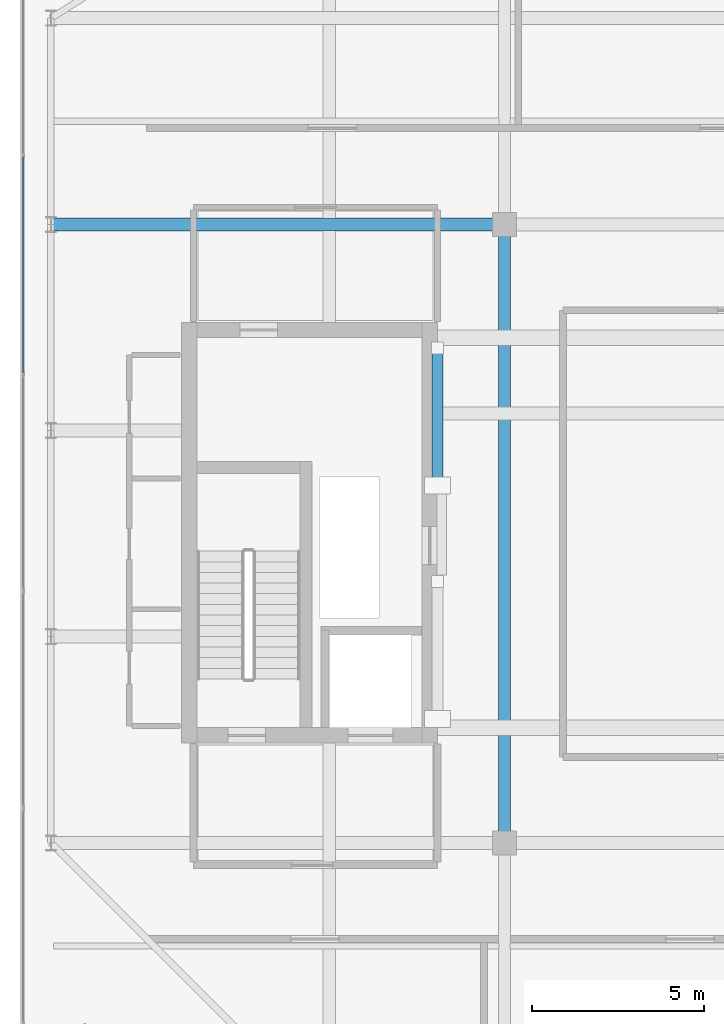
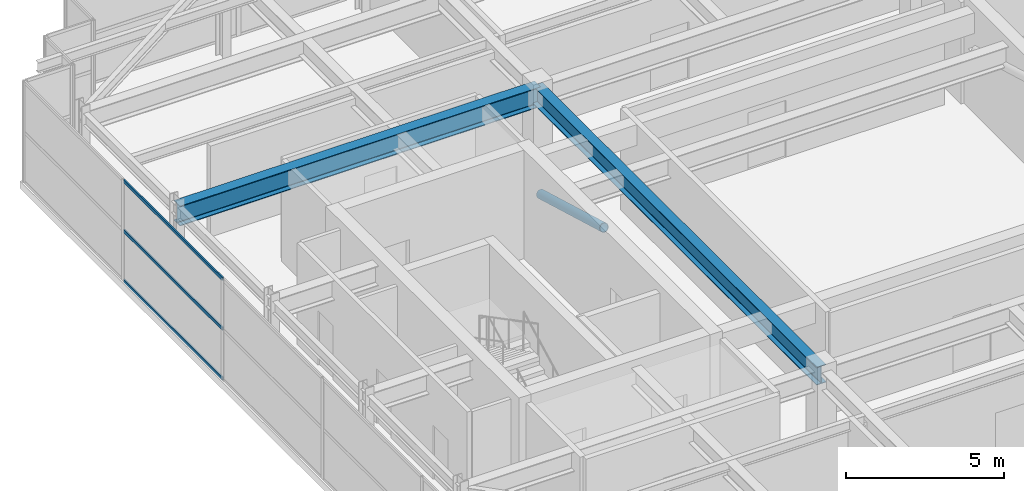
# One storey, part 12 of 32: 4 members, 2 beams, 1 element without a shape of its own.
"""IFC4 building model written with IfcOpenShell, lengths in metres."""

from ifc_helpers import new_model, si_unit, direction, frame, origin, origin_2d, place, context, subcontext, project, spatial, hollow_rectangle, hollow_circle, i_section, extrude, source, transform, mapped, material, layer, layer_set, material_profile, profile_set, type_object, element, aggregate, save


model = new_model("IFC4")

# Units and contexts
model_context = context("Model", 3, precision=1e-05, world=origin(), true_north=direction((0.0, 1.0)))
body_context = subcontext(model_context, "Body", "Model", "MODEL_VIEW")
ifc_project = project(units=[si_unit("LENGTHUNIT", "METRE"), si_unit("AREAUNIT", "SQUARE_METRE"), si_unit("VOLUMEUNIT", "CUBIC_METRE"), si_unit("PLANEANGLEUNIT", "RADIAN"), si_unit("MASSUNIT", "GRAM", prefix="KILO")], contexts=[model_context])

# Site, building, storey
site_placement = place(None, origin())
site = spatial("IfcSite", under=ifc_project, at=site_placement, CompositionType="ELEMENT")
building_placement = place(site_placement, origin())
building = spatial("IfcBuilding", under=site, at=building_placement, Name="Khoralis Quay Care Tower", CompositionType="ELEMENT")
storey_placement = place(building_placement, frame((0.0, 0.0, 297.89990234375)))
storey = spatial("IfcBuildingStorey", under=building, at=storey_placement, Name="L78", CompositionType="ELEMENT", Elevation=297.89990234375)

# Beams
ifc_material_1 = material(Name="Steel S355", Category="steel")
ifc_material_profile_1 = material_profile(ifc_material_1, i_section(OverallWidth=0.35498046875, OverallDepth=0.695068359375, WebThickness=0.015380859375, FlangeThickness=0.02490234375, FilletRadius=0.02001953125, at=origin_2d()), Name="Steel S355")
ifc_profile_set_1 = profile_set([ifc_material_profile_1], Name="Steel S355")
beam_type_1 = type_object("IfcBeamType", Name="BM-W690X217", PredefinedType="BEAM", material=ifc_profile_set_1)
shared_shape_1 = source(origin(), body_context, "Body", "SweptSolid", [
    extrude(i_section(OverallWidth=0.35498046875, OverallDepth=0.695068359375, WebThickness=0.015380859375, FlangeThickness=0.02490234375, FilletRadius=0.02001953125, at=origin_2d()), origin(), (0.0, 0.0, 1.0), 18.0),
])
beam_1_placement = place(storey_placement, frame((17.10009765625, 12.0, 3.572509765625), z_axis=(0.0, 1.0, 0.0), x_axis=(-1.0, 0.0, 0.0)))
element("IfcBeam", 1, at=beam_1_placement, inside=storey, type_object=beam_type_1, Name="BM-TGSW-L78", PredefinedType="BEAM", context=body_context, shape_type="MappedRepresentation", body=[
    mapped(shared_shape_1, transform((0.0, 0.0, 0.0), scale=1.0)),
])
ifc_material_profile_2 = material_profile(ifc_material_1, i_section(OverallWidth=0.381103515625, OverallDepth=0.77294921875, WebThickness=0.0166015625, FlangeThickness=0.027587890625, FilletRadius=0.02197265625, at=origin_2d()), Name="Steel S355")
ifc_profile_set_2 = profile_set([ifc_material_profile_2], Name="Steel S355")
beam_type_2 = type_object("IfcBeamType", Name="BM-W760X257", PredefinedType="BEAM", material=ifc_profile_set_2)
shared_shape_2 = source(origin(), body_context, "Body", "SweptSolid", [
    extrude(i_section(OverallWidth=0.381103515625, OverallDepth=0.77294921875, WebThickness=0.0166015625, FlangeThickness=0.027587890625, FilletRadius=0.02197265625, at=origin_2d()), origin(), (0.0, 0.0, 1.0), 13.2001953125),
])
beam_2_placement = place(storey_placement, frame((3.89990234375, 30.0, 3.53369140625), z_axis=(1.0, 0.0, 0.0), x_axis=(0.0, 1.0, 0.0)))
element("IfcBeam", 2, at=beam_2_placement, inside=storey, type_object=beam_type_2, Name="BM-TGXW-L78-300", PredefinedType="BEAM", context=body_context, shape_type="MappedRepresentation", body=[
    mapped(shared_shape_2, transform((0.0, 0.0, 0.0), scale=1.0)),
])

# Member
ifc_material_profile_3 = material_profile(ifc_material_1, hollow_circle(Radius=0.161865234375, WallThickness=0.01611328125, at=origin_2d()), Name="Steel S355")
ifc_profile_set_3 = profile_set([ifc_material_profile_3], Name="Steel S355")
member_type_1 = type_object("IfcMemberType", Name="ST-CHS323X16", PredefinedType="STRUT", material=ifc_profile_set_3)
shared_shape_3 = source(origin(), body_context, "Body", "SweptSolid", [
    extrude(hollow_circle(Radius=0.161865234375, WallThickness=0.01611328125, at=origin_2d()), origin(), (0.0, 0.0, 1.0), 4.156494140625),
])
member_1_placement = place(storey_placement, frame((15.14794921875, 22.39990234375, 3.650146484375), z_axis=(0.0, 0.962328782221, -0.271888423639), x_axis=(-1.0, 0.0, 0.0)))
element("IfcMember", 3, at=member_1_placement, inside=storey, type_object=member_type_1, Name="L78 Lantern Diagrid Strut 2", PredefinedType="STRUT", context=body_context, shape_type="MappedRepresentation", body=[
    mapped(shared_shape_3, transform((0.0, 0.0, 0.0), scale=1.0)),
])

# Curtain wall, members
ifc_material_2 = material(Name="Pale anodised aluminium", Category="aluminium")
ifc_layer = layer(ifc_material_2, 0.199951171875)
ifc_layer_set = layer_set([ifc_layer], Name="Pale anodised aluminium")
curtain_wall_type = type_object("IfcCurtainWallType", Name="CW-SYS-LANTERN", PredefinedType="NOTDEFINED", material=ifc_layer_set)
curtain_wall_placement = place(storey_placement, origin())
curtain_wall = element("IfcCurtainWall", 4, at=curtain_wall_placement, inside=storey, type_object=curtain_wall_type, Name="L78 Unitised Curtain Wall CW-LN-L78-16", PredefinedType="NOTDEFINED")
ifc_material_profile_4 = material_profile(ifc_material_2, hollow_rectangle(XDim=0.054931640625, YDim=0.1201171875, WallThickness=0.00390625, at=origin_2d()), Name="Pale anodised aluminium")
ifc_profile_set_4 = profile_set([ifc_material_profile_4], Name="Pale anodised aluminium")
member_type_2 = type_object("IfcMemberType", Name="CW-TRN-120", PredefinedType="USERDEFINED", material=ifc_profile_set_4)
shared_shape_4 = source(origin(), body_context, "Body", "SweptSolid", [
    extrude(hollow_rectangle(XDim=0.054931640625, YDim=0.1201171875, WallThickness=0.00390625, at=origin_2d()), origin(), (0.0, 0.0, 1.0), 6.26416015625),
])
member_2_placement = place(storey_placement, frame((3.090087890625, 31.9560546875, 0.030029296875), z_axis=(0.0, -1.0, 0.0), x_axis=(1.0, 0.0, 0.0)))
member_2 = element("IfcMember", 5, at=member_2_placement, type_object=member_type_2, Name="CW5 transom 2.1", ObjectType="TRANSOM", PredefinedType="USERDEFINED", context=body_context, shape_type="MappedRepresentation", body=[
    mapped(shared_shape_4, transform((0.0, 0.0, 0.0), scale=1.0)),
])
member_3_placement = place(storey_placement, frame((3.090087890625, 31.9560546875, 1.960205078125), z_axis=(0.0, -1.0, 0.0), x_axis=(1.0, 0.0, 0.0)))
member_3 = element("IfcMember", 6, at=member_3_placement, type_object=member_type_2, Name="CW5 transom 2.2", ObjectType="TRANSOM", PredefinedType="USERDEFINED", context=body_context, shape_type="MappedRepresentation", body=[
    mapped(shared_shape_4, transform((0.0, 0.0, 0.0), scale=1.0)),
])
member_4_placement = place(storey_placement, frame((3.090087890625, 31.9560546875, 3.89013671875), z_axis=(0.0, -1.0, 0.0), x_axis=(1.0, 0.0, 0.0)))
member_4 = element("IfcMember", 7, at=member_4_placement, type_object=member_type_2, Name="CW5 transom 2.3", ObjectType="TRANSOM", PredefinedType="USERDEFINED", context=body_context, shape_type="MappedRepresentation", body=[
    mapped(shared_shape_4, transform((0.0, 0.0, 0.0), scale=1.0)),
])
aggregate(curtain_wall, [member_2, member_3, member_4])

save(model, "model.ifc")
